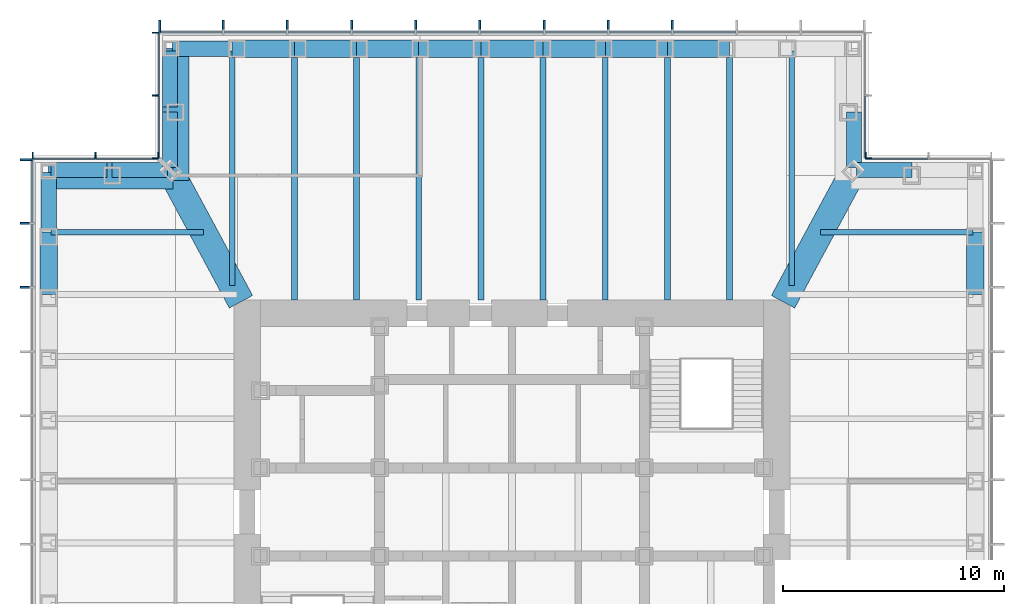
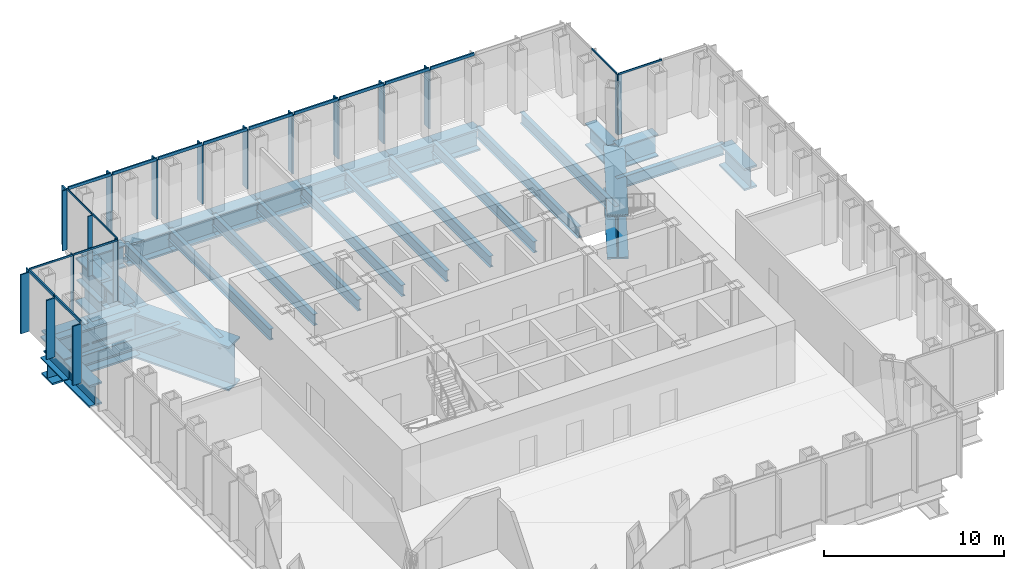
# One storey, part 5 of 14: 37 members, 34 beams, 6 elements without a shape of their own.
"""IFC4 building model written with IfcOpenShell, lengths in metres."""

from ifc_helpers import new_model, si_unit, direction, frame, origin, origin_2d, place, context, subcontext, project, spatial, rectangle, i_section, extrude, material, material_profile, profile_set, type_object, element, aggregate, save


model = new_model("IFC4")

# Units and contexts
model_context = context("Model", 3, precision=1e-05, world=origin(), true_north=direction((0.0, 1.0)))
body_context = subcontext(model_context, "Body", "Model", "MODEL_VIEW")
ifc_project = project(units=[si_unit("LENGTHUNIT", "METRE"), si_unit("AREAUNIT", "SQUARE_METRE"), si_unit("VOLUMEUNIT", "CUBIC_METRE"), si_unit("PLANEANGLEUNIT", "RADIAN"), si_unit("MASSUNIT", "GRAM", prefix="KILO")], contexts=[model_context])

# Site, building, storey
site_placement = place(None, origin())
site = spatial("IfcSite", under=ifc_project, at=site_placement, CompositionType="ELEMENT")
building_placement = place(site_placement, origin())
building = spatial("IfcBuilding", under=site, at=building_placement, Name="Daluyong Arena Tower", CompositionType="ELEMENT")
storey_placement = place(building_placement, frame((0.0, 0.0, 250.300048828125)))
storey = spatial("IfcBuildingStorey", under=building, at=storey_placement, Name="L56", CompositionType="ELEMENT", Elevation=250.300048828125)

# Curtain wall, members
ifc_material_1 = material(Name="Bronze anodised aluminium and glass", Category="aluminium")
curtain_wall_type_1 = type_object("IfcCurtainWallType", Name="Curtain wall CW4", PredefinedType="USERDEFINED", material=ifc_material_1)
curtain_wall_1_placement = place(storey_placement, origin())
curtain_wall_1 = element("IfcCurtainWall", 1, at=curtain_wall_1_placement, inside=storey, type_object=curtain_wall_type_1, Name="curtain wall L56 N", ObjectType="UNITISED CURTAIN WALL", PredefinedType="USERDEFINED")
ifc_material_2 = material(Name="Bronze anodised aluminium fin", Category="aluminium")
ifc_material_profile_1 = material_profile(ifc_material_2, rectangle(XDim=0.550048828125, YDim=0.090087890625, at=origin_2d()))
ifc_profile_set_1 = profile_set([ifc_material_profile_1], Name="Bronze anodised aluminium fin")
member_type_1 = type_object("IfcMemberType", Name="CW4 bronze fin 550x90", PredefinedType="MULLION", material=ifc_profile_set_1)
member_1_placement = place(storey_placement, frame((63.272705078125, 102.02490234375, 0.0), z_axis=(0.0, 0.0, 1.0), x_axis=(0.0, -1.0, 0.0)))
member_1 = element("IfcMember", 2, at=member_1_placement, type_object=member_type_1, Name="curtain wall L56 N fin 4", PredefinedType="MULLION", context=body_context, shape_type="SweptSolid", body=[
    extrude(rectangle(XDim=0.550048828125, YDim=0.090087890625, at=origin_2d()), origin(), (0.0, 0.0, 1.0), 4.0),
])
member_2_placement = place(storey_placement, frame((60.363525390625, 102.02490234375, 0.0), z_axis=(0.0, 0.0, 1.0), x_axis=(0.0, -1.0, 0.0)))
member_2 = element("IfcMember", 3, at=member_2_placement, type_object=member_type_1, Name="curtain wall L56 N fin 5", PredefinedType="MULLION", context=body_context, shape_type="SweptSolid", body=[
    extrude(rectangle(XDim=0.550048828125, YDim=0.090087890625, at=origin_2d()), origin(), (0.0, 0.0, 1.0), 4.0),
])
member_3_placement = place(storey_placement, frame((57.45458984375, 102.02490234375, 0.0), z_axis=(0.0, 0.0, 1.0), x_axis=(0.0, -1.0, 0.0)))
member_3 = element("IfcMember", 4, at=member_3_placement, type_object=member_type_1, Name="curtain wall L56 N fin 6", PredefinedType="MULLION", context=body_context, shape_type="SweptSolid", body=[
    extrude(rectangle(XDim=0.550048828125, YDim=0.090087890625, at=origin_2d()), origin(), (0.0, 0.0, 1.0), 4.0),
])
member_4_placement = place(storey_placement, frame((54.54541015625, 102.02490234375, 0.0), z_axis=(0.0, 0.0, 1.0), x_axis=(0.0, -1.0, 0.0)))
member_4 = element("IfcMember", 5, at=member_4_placement, type_object=member_type_1, Name="curtain wall L56 N fin 7", PredefinedType="MULLION", context=body_context, shape_type="SweptSolid", body=[
    extrude(rectangle(XDim=0.550048828125, YDim=0.090087890625, at=origin_2d()), origin(), (0.0, 0.0, 1.0), 4.0),
])
member_5_placement = place(storey_placement, frame((51.636474609375, 102.02490234375, 0.0), z_axis=(0.0, 0.0, 1.0), x_axis=(0.0, -1.0, 0.0)))
member_5 = element("IfcMember", 6, at=member_5_placement, type_object=member_type_1, Name="curtain wall L56 N fin 8", PredefinedType="MULLION", context=body_context, shape_type="SweptSolid", body=[
    extrude(rectangle(XDim=0.550048828125, YDim=0.090087890625, at=origin_2d()), origin(), (0.0, 0.0, 1.0), 4.0),
])
member_6_placement = place(storey_placement, frame((48.727294921875, 102.02490234375, 0.0), z_axis=(0.0, 0.0, 1.0), x_axis=(0.0, -1.0, 0.0)))
member_6 = element("IfcMember", 7, at=member_6_placement, type_object=member_type_1, Name="curtain wall L56 N fin 9", PredefinedType="MULLION", context=body_context, shape_type="SweptSolid", body=[
    extrude(rectangle(XDim=0.550048828125, YDim=0.090087890625, at=origin_2d()), origin(), (0.0, 0.0, 1.0), 4.0),
])
member_7_placement = place(storey_placement, frame((45.818115234375, 102.02490234375, 0.0), z_axis=(0.0, 0.0, 1.0), x_axis=(0.0, -1.0, 0.0)))
member_7 = element("IfcMember", 8, at=member_7_placement, type_object=member_type_1, Name="curtain wall L56 N fin 10", PredefinedType="MULLION", context=body_context, shape_type="SweptSolid", body=[
    extrude(rectangle(XDim=0.550048828125, YDim=0.090087890625, at=origin_2d()), origin(), (0.0, 0.0, 1.0), 4.0),
])
member_8_placement = place(storey_placement, frame((42.9091796875, 102.02490234375, 0.0), z_axis=(0.0, 0.0, 1.0), x_axis=(0.0, -1.0, 0.0)))
member_8 = element("IfcMember", 9, at=member_8_placement, type_object=member_type_1, Name="curtain wall L56 N fin 11", PredefinedType="MULLION", context=body_context, shape_type="SweptSolid", body=[
    extrude(rectangle(XDim=0.550048828125, YDim=0.090087890625, at=origin_2d()), origin(), (0.0, 0.0, 1.0), 4.0),
])
member_9_placement = place(storey_placement, frame((40.044921875, 102.02490234375, 0.0), z_axis=(0.0, 0.0, 1.0), x_axis=(0.0, -1.0, 0.0)))
member_9 = element("IfcMember", 10, at=member_9_placement, type_object=member_type_1, Name="curtain wall L56 N fin 12", PredefinedType="MULLION", context=body_context, shape_type="SweptSolid", body=[
    extrude(rectangle(XDim=0.550048828125, YDim=0.090087890625, at=origin_2d()), origin(), (0.0, 0.0, 1.0), 4.0),
])

curtain_wall_2_placement = place(storey_placement, origin())
curtain_wall_2 = element("IfcCurtainWall", 11, at=curtain_wall_2_placement, inside=storey, type_object=curtain_wall_type_1, Name="curtain wall L56 W", ObjectType="UNITISED CURTAIN WALL", PredefinedType="USERDEFINED")
member_10_placement = place(storey_placement, frame((33.97509765625, 95.955078125, 0.0), z_axis=(0.0, 0.0, 1.0), x_axis=(1.0, 0.0, 0.0)))
member_10 = element("IfcMember", 12, at=member_10_placement, type_object=member_type_1, Name="curtain wall L56 W fin 1", PredefinedType="MULLION", context=body_context, shape_type="SweptSolid", body=[
    extrude(rectangle(XDim=0.550048828125, YDim=0.090087890625, at=origin_2d()), origin(), (0.0, 0.0, 1.0), 4.0),
])
member_11_placement = place(storey_placement, frame((33.97509765625, 93.0908203125, 0.0), z_axis=(0.0, 0.0, 1.0), x_axis=(1.0, 0.0, 0.0)))
member_11 = element("IfcMember", 13, at=member_11_placement, type_object=member_type_1, Name="curtain wall L56 W fin 2", PredefinedType="MULLION", context=body_context, shape_type="SweptSolid", body=[
    extrude(rectangle(XDim=0.550048828125, YDim=0.090087890625, at=origin_2d()), origin(), (0.0, 0.0, 1.0), 4.0),
])
member_12_placement = place(storey_placement, frame((33.97509765625, 90.181884765625, 0.0), z_axis=(0.0, 0.0, 1.0), x_axis=(1.0, 0.0, 0.0)))
member_12 = element("IfcMember", 14, at=member_12_placement, type_object=member_type_1, Name="curtain wall L56 W fin 3", PredefinedType="MULLION", context=body_context, shape_type="SweptSolid", body=[
    extrude(rectangle(XDim=0.550048828125, YDim=0.090087890625, at=origin_2d()), origin(), (0.0, 0.0, 1.0), 4.0),
])

# Member
ifc_material_3 = material(Name="Bronze anodised aluminium", Category="aluminium")
ifc_material_profile_2 = material_profile(ifc_material_3, rectangle(XDim=0.090087890625, YDim=0.199951171875, at=origin_2d()))
ifc_profile_set_2 = profile_set([ifc_material_profile_2], Name="Bronze anodised aluminium")
member_type_2 = type_object("IfcMemberType", Name="CW4 stack transom 200x90", PredefinedType="USERDEFINED", material=ifc_profile_set_2)
member_13_placement = place(storey_placement, frame((66.13671875, 101.75, 4.099853515625), z_axis=(-1.0, 0.0, 0.0), x_axis=(0.0, -1.0, 0.0)))
member_13 = element("IfcMember", 15, at=member_13_placement, type_object=member_type_2, Name="curtain wall L56 N transom 3", ObjectType="TRANSOM", PredefinedType="USERDEFINED", context=body_context, shape_type="SweptSolid", body=[
    extrude(rectangle(XDim=0.090087890625, YDim=0.199951171875, at=origin_2d()), origin(), (0.0, 0.0, 1.0), 2.819091796875),
])

member_14_placement = place(storey_placement, frame((63.227783203125, 101.75, 4.099853515625), z_axis=(-1.0, 0.0, 0.0), x_axis=(0.0, -1.0, 0.0)))
member_14 = element("IfcMember", 16, at=member_14_placement, type_object=member_type_2, Name="curtain wall L56 N transom 4", ObjectType="TRANSOM", PredefinedType="USERDEFINED", context=body_context, shape_type="SweptSolid", body=[
    extrude(rectangle(XDim=0.090087890625, YDim=0.199951171875, at=origin_2d()), origin(), (0.0, 0.0, 1.0), 2.819091796875),
])

member_15_placement = place(storey_placement, frame((60.318603515625, 101.75, 4.099853515625), z_axis=(-1.0, 0.0, 0.0), x_axis=(0.0, -1.0, 0.0)))
member_15 = element("IfcMember", 17, at=member_15_placement, type_object=member_type_2, Name="curtain wall L56 N transom 5", ObjectType="TRANSOM", PredefinedType="USERDEFINED", context=body_context, shape_type="SweptSolid", body=[
    extrude(rectangle(XDim=0.090087890625, YDim=0.199951171875, at=origin_2d()), origin(), (0.0, 0.0, 1.0), 2.819091796875),
])

member_16_placement = place(storey_placement, frame((57.409423828125, 101.75, 4.099853515625), z_axis=(-1.0, 0.0, 0.0), x_axis=(0.0, -1.0, 0.0)))
member_16 = element("IfcMember", 18, at=member_16_placement, type_object=member_type_2, Name="curtain wall L56 N transom 6", ObjectType="TRANSOM", PredefinedType="USERDEFINED", context=body_context, shape_type="SweptSolid", body=[
    extrude(rectangle(XDim=0.090087890625, YDim=0.199951171875, at=origin_2d()), origin(), (0.0, 0.0, 1.0), 2.81884765625),
])

member_17_placement = place(storey_placement, frame((54.50048828125, 101.75, 4.099853515625), z_axis=(-1.0, 0.0, 0.0), x_axis=(0.0, -1.0, 0.0)))
member_17 = element("IfcMember", 19, at=member_17_placement, type_object=member_type_2, Name="curtain wall L56 N transom 7", ObjectType="TRANSOM", PredefinedType="USERDEFINED", context=body_context, shape_type="SweptSolid", body=[
    extrude(rectangle(XDim=0.090087890625, YDim=0.199951171875, at=origin_2d()), origin(), (0.0, 0.0, 1.0), 2.819091796875),
])

member_18_placement = place(storey_placement, frame((51.59130859375, 101.75, 4.099853515625), z_axis=(-1.0, 0.0, 0.0), x_axis=(0.0, -1.0, 0.0)))
member_18 = element("IfcMember", 20, at=member_18_placement, type_object=member_type_2, Name="curtain wall L56 N transom 8", ObjectType="TRANSOM", PredefinedType="USERDEFINED", context=body_context, shape_type="SweptSolid", body=[
    extrude(rectangle(XDim=0.090087890625, YDim=0.199951171875, at=origin_2d()), origin(), (0.0, 0.0, 1.0), 2.819091796875),
])

member_19_placement = place(storey_placement, frame((48.682373046875, 101.75, 4.099853515625), z_axis=(-1.0, 0.0, 0.0), x_axis=(0.0, -1.0, 0.0)))
member_19 = element("IfcMember", 21, at=member_19_placement, type_object=member_type_2, Name="curtain wall L56 N transom 9", ObjectType="TRANSOM", PredefinedType="USERDEFINED", context=body_context, shape_type="SweptSolid", body=[
    extrude(rectangle(XDim=0.090087890625, YDim=0.199951171875, at=origin_2d()), origin(), (0.0, 0.0, 1.0), 2.819091796875),
])

member_20_placement = place(storey_placement, frame((45.773193359375, 101.75, 4.099853515625), z_axis=(-1.0, 0.0, 0.0), x_axis=(0.0, -1.0, 0.0)))
member_20 = element("IfcMember", 22, at=member_20_placement, type_object=member_type_2, Name="curtain wall L56 N transom 10", ObjectType="TRANSOM", PredefinedType="USERDEFINED", context=body_context, shape_type="SweptSolid", body=[
    extrude(rectangle(XDim=0.090087890625, YDim=0.199951171875, at=origin_2d()), origin(), (0.0, 0.0, 1.0), 2.819091796875),
])

member_21_placement = place(storey_placement, frame((42.864013671875, 101.75, 4.099853515625), z_axis=(-1.0, 0.0, 0.0), x_axis=(0.0, -1.0, 0.0)))
member_21 = element("IfcMember", 23, at=member_21_placement, type_object=member_type_2, Name="curtain wall L56 N transom 11", ObjectType="TRANSOM", PredefinedType="USERDEFINED", context=body_context, shape_type="SweptSolid", body=[
    extrude(rectangle(XDim=0.090087890625, YDim=0.199951171875, at=origin_2d()), origin(), (0.0, 0.0, 1.0), 2.77392578125),
])

aggregate(curtain_wall_1, [member_1, member_2, member_3, member_4, member_5, member_6, member_7, member_8, member_9, member_13, member_14, member_15, member_16, member_17, member_18, member_19, member_20, member_21])

member_22_placement = place(storey_placement, frame((34.25, 95.909912109375, 4.099853515625), z_axis=(0.0, -1.0, 0.0), x_axis=(1.0, 0.0, 0.0)))
member_22 = element("IfcMember", 24, at=member_22_placement, type_object=member_type_2, Name="curtain wall L56 W transom 1", ObjectType="TRANSOM", PredefinedType="USERDEFINED", context=body_context, shape_type="SweptSolid", body=[
    extrude(rectangle(XDim=0.090087890625, YDim=0.199951171875, at=origin_2d()), origin(), (0.0, 0.0, 1.0), 2.77392578125),
])

member_23_placement = place(storey_placement, frame((34.25, 93.0458984375, 4.099853515625), z_axis=(0.0, -1.0, 0.0), x_axis=(1.0, 0.0, 0.0)))
member_23 = element("IfcMember", 25, at=member_23_placement, type_object=member_type_2, Name="curtain wall L56 W transom 2", ObjectType="TRANSOM", PredefinedType="USERDEFINED", context=body_context, shape_type="SweptSolid", body=[
    extrude(rectangle(XDim=0.090087890625, YDim=0.199951171875, at=origin_2d()), origin(), (0.0, 0.0, 1.0), 2.819091796875),
])

aggregate(curtain_wall_2, [member_10, member_11, member_12, member_22, member_23])

# Curtain wall, member
ifc_material_4 = material(Name="Bronze anodised aluminium and glass", Category="aluminium")
curtain_wall_type_2 = type_object("IfcCurtainWallType", Name="Curtain wall CW7", PredefinedType="USERDEFINED", material=ifc_material_4)
curtain_wall_3_placement = place(storey_placement, origin())
curtain_wall_3 = element("IfcCurtainWall", 26, at=curtain_wall_3_placement, inside=storey, type_object=curtain_wall_type_2, Name="curtain wall L56 NE-N", ObjectType="UNITISED CURTAIN WALL", PredefinedType="USERDEFINED")
ifc_material_5 = material(Name="Bronze anodised aluminium fin", Category="aluminium")
ifc_material_profile_3 = material_profile(ifc_material_5, rectangle(XDim=0.300048828125, YDim=0.06005859375, at=origin_2d()))
ifc_profile_set_3 = profile_set([ifc_material_profile_3], Name="Bronze anodised aluminium fin")
member_type_3 = type_object("IfcMemberType", Name="CW7 bronze fin 300x60", PredefinedType="MULLION", material=ifc_profile_set_3)
member_24_placement = place(storey_placement, frame((72.030029296875, 96.14990234375, 0.0), z_axis=(0.0, 0.0, 1.0), x_axis=(0.0, -1.0, 0.0)))
member_24 = element("IfcMember", 27, at=member_24_placement, type_object=member_type_3, Name="curtain wall L56 NE-N fin 3", PredefinedType="MULLION", context=body_context, shape_type="SweptSolid", body=[
    extrude(rectangle(XDim=0.300048828125, YDim=0.06005859375, at=origin_2d()), origin(), (0.0, 0.0, 1.0), 4.079833984375),
])

curtain_wall_4_placement = place(storey_placement, origin())
curtain_wall_4 = element("IfcCurtainWall", 28, at=curtain_wall_4_placement, inside=storey, type_object=curtain_wall_type_2, Name="curtain wall L56 NE-E", ObjectType="UNITISED CURTAIN WALL", PredefinedType="USERDEFINED")
member_25_placement = place(storey_placement, frame((72.14990234375, 96.030029296875, 0.0), z_axis=(0.0, 0.0, 1.0), x_axis=(-1.0, 0.0, 0.0)))
member_25 = element("IfcMember", 29, at=member_25_placement, type_object=member_type_3, Name="curtain wall L56 NE-E fin 1", PredefinedType="MULLION", context=body_context, shape_type="SweptSolid", body=[
    extrude(rectangle(XDim=0.300048828125, YDim=0.06005859375, at=origin_2d()), origin(), (0.0, 0.0, 1.0), 4.079833984375),
])

# Curtain wall, members
curtain_wall_5_placement = place(storey_placement, origin())
curtain_wall_5 = element("IfcCurtainWall", 30, at=curtain_wall_5_placement, inside=storey, type_object=curtain_wall_type_2, Name="curtain wall L56 NW-W", ObjectType="UNITISED CURTAIN WALL", PredefinedType="USERDEFINED")
member_26_placement = place(storey_placement, frame((39.85009765625, 101.719970703125, 0.0), z_axis=(0.0, 0.0, 1.0), x_axis=(1.0, 0.0, 0.0)))
member_26 = element("IfcMember", 31, at=member_26_placement, type_object=member_type_3, Name="curtain wall L56 NW-W fin 1", PredefinedType="MULLION", context=body_context, shape_type="SweptSolid", body=[
    extrude(rectangle(XDim=0.300048828125, YDim=0.06005859375, at=origin_2d()), origin(), (0.0, 0.0, 1.0), 4.079833984375),
])
member_27_placement = place(storey_placement, frame((39.85009765625, 98.875, 0.0), z_axis=(0.0, 0.0, 1.0), x_axis=(1.0, 0.0, 0.0)))
member_27 = element("IfcMember", 32, at=member_27_placement, type_object=member_type_3, Name="curtain wall L56 NW-W fin 2", PredefinedType="MULLION", context=body_context, shape_type="SweptSolid", body=[
    extrude(rectangle(XDim=0.300048828125, YDim=0.06005859375, at=origin_2d()), origin(), (0.0, 0.0, 1.0), 4.079833984375),
])
member_28_placement = place(storey_placement, frame((39.85009765625, 96.030029296875, 0.0), z_axis=(0.0, 0.0, 1.0), x_axis=(1.0, 0.0, 0.0)))
member_28 = element("IfcMember", 33, at=member_28_placement, type_object=member_type_3, Name="curtain wall L56 NW-W fin 3", PredefinedType="MULLION", context=body_context, shape_type="SweptSolid", body=[
    extrude(rectangle(XDim=0.300048828125, YDim=0.06005859375, at=origin_2d()), origin(), (0.0, 0.0, 1.0), 4.079833984375),
])

curtain_wall_6_placement = place(storey_placement, origin())
curtain_wall_6 = element("IfcCurtainWall", 34, at=curtain_wall_6_placement, inside=storey, type_object=curtain_wall_type_2, Name="curtain wall L56 NW-N", ObjectType="UNITISED CURTAIN WALL", PredefinedType="USERDEFINED")
member_29_placement = place(storey_placement, frame((39.969970703125, 96.14990234375, 0.0), z_axis=(0.0, 0.0, 1.0), x_axis=(0.0, -1.0, 0.0)))
member_29 = element("IfcMember", 35, at=member_29_placement, type_object=member_type_3, Name="curtain wall L56 NW-N fin 1", PredefinedType="MULLION", context=body_context, shape_type="SweptSolid", body=[
    extrude(rectangle(XDim=0.300048828125, YDim=0.06005859375, at=origin_2d()), origin(), (0.0, 0.0, 1.0), 4.079833984375),
])
member_30_placement = place(storey_placement, frame((37.125, 96.14990234375, 0.0), z_axis=(0.0, 0.0, 1.0), x_axis=(0.0, -1.0, 0.0)))
member_30 = element("IfcMember", 36, at=member_30_placement, type_object=member_type_3, Name="curtain wall L56 NW-N fin 2", PredefinedType="MULLION", context=body_context, shape_type="SweptSolid", body=[
    extrude(rectangle(XDim=0.300048828125, YDim=0.06005859375, at=origin_2d()), origin(), (0.0, 0.0, 1.0), 4.079833984375),
])
member_31_placement = place(storey_placement, frame((34.280029296875, 96.14990234375, 0.0), z_axis=(0.0, 0.0, 1.0), x_axis=(0.0, -1.0, 0.0)))
member_31 = element("IfcMember", 37, at=member_31_placement, type_object=member_type_3, Name="curtain wall L56 NW-N fin 3", PredefinedType="MULLION", context=body_context, shape_type="SweptSolid", body=[
    extrude(rectangle(XDim=0.300048828125, YDim=0.06005859375, at=origin_2d()), origin(), (0.0, 0.0, 1.0), 4.079833984375),
])

# Member
ifc_material_6 = material(Name="Bronze anodised aluminium", Category="aluminium")
ifc_material_profile_4 = material_profile(ifc_material_6, rectangle(XDim=0.06005859375, YDim=0.1201171875, at=origin_2d()))
ifc_profile_set_4 = profile_set([ifc_material_profile_4], Name="Bronze anodised aluminium")
member_type_4 = type_object("IfcMemberType", Name="CW7 stack transom 120x60", PredefinedType="USERDEFINED", material=ifc_profile_set_4)
member_32_placement = place(storey_placement, frame((74.844970703125, 96.0, 4.139892578125), z_axis=(-1.0, 0.0, 0.0), x_axis=(0.0, -1.0, 0.0)))
member_32 = element("IfcMember", 38, at=member_32_placement, type_object=member_type_4, Name="curtain wall L56 NE-N transom 2", ObjectType="TRANSOM", PredefinedType="USERDEFINED", context=body_context, shape_type="SweptSolid", body=[
    extrude(rectangle(XDim=0.06005859375, YDim=0.1201171875, at=origin_2d()), origin(), (0.0, 0.0, 1.0), 2.784912109375),
])

aggregate(curtain_wall_3, [member_24, member_32])

member_33_placement = place(storey_placement, frame((72.0, 96.06005859375, 4.139892578125), z_axis=(0.0, 1.0, 0.0), x_axis=(-1.0, 0.0, 0.0)))
member_33 = element("IfcMember", 39, at=member_33_placement, type_object=member_type_4, Name="curtain wall L56 NE-E transom 1", ObjectType="TRANSOM", PredefinedType="USERDEFINED", context=body_context, shape_type="SweptSolid", body=[
    extrude(rectangle(XDim=0.06005859375, YDim=0.1201171875, at=origin_2d()), origin(), (0.0, 0.0, 1.0), 2.784912109375),
])

aggregate(curtain_wall_4, [member_25, member_33])

member_34_placement = place(storey_placement, frame((40.0, 101.68994140625, 4.139892578125), z_axis=(0.0, -1.0, 0.0), x_axis=(1.0, 0.0, 0.0)))
member_34 = element("IfcMember", 40, at=member_34_placement, type_object=member_type_4, Name="curtain wall L56 NW-W transom 1", ObjectType="TRANSOM", PredefinedType="USERDEFINED", context=body_context, shape_type="SweptSolid", body=[
    extrude(rectangle(XDim=0.06005859375, YDim=0.1201171875, at=origin_2d()), origin(), (0.0, 0.0, 1.0), 2.784912109375),
])

member_35_placement = place(storey_placement, frame((40.0, 98.844970703125, 4.139892578125), z_axis=(0.0, -1.0, 0.0), x_axis=(1.0, 0.0, 0.0)))
member_35 = element("IfcMember", 41, at=member_35_placement, type_object=member_type_4, Name="curtain wall L56 NW-W transom 2", ObjectType="TRANSOM", PredefinedType="USERDEFINED", context=body_context, shape_type="SweptSolid", body=[
    extrude(rectangle(XDim=0.06005859375, YDim=0.1201171875, at=origin_2d()), origin(), (0.0, 0.0, 1.0), 2.784912109375),
])

aggregate(curtain_wall_5, [member_26, member_27, member_28, member_34, member_35])

member_36_placement = place(storey_placement, frame((39.93994140625, 96.0, 4.139892578125), z_axis=(-1.0, 0.0, 0.0), x_axis=(0.0, -1.0, 0.0)))
member_36 = element("IfcMember", 42, at=member_36_placement, type_object=member_type_4, Name="curtain wall L56 NW-N transom 1", ObjectType="TRANSOM", PredefinedType="USERDEFINED", context=body_context, shape_type="SweptSolid", body=[
    extrude(rectangle(XDim=0.06005859375, YDim=0.1201171875, at=origin_2d()), origin(), (0.0, 0.0, 1.0), 2.784912109375),
])

member_37_placement = place(storey_placement, frame((37.094970703125, 96.0, 4.139892578125), z_axis=(-1.0, 0.0, 0.0), x_axis=(0.0, -1.0, 0.0)))
member_37 = element("IfcMember", 43, at=member_37_placement, type_object=member_type_4, Name="curtain wall L56 NW-N transom 2", ObjectType="TRANSOM", PredefinedType="USERDEFINED", context=body_context, shape_type="SweptSolid", body=[
    extrude(rectangle(XDim=0.06005859375, YDim=0.1201171875, at=origin_2d()), origin(), (0.0, 0.0, 1.0), 2.784912109375),
])

aggregate(curtain_wall_6, [member_29, member_30, member_31, member_36, member_37])

# Beams
ifc_material_7 = material(Name="Steel ASTM A992 Grade 50", Category="steel")
ifc_material_profile_5 = material_profile(ifc_material_7, i_section(OverallWidth=0.2666015625, OverallDepth=0.761962890625, WebThickness=0.014404296875, FlangeThickness=0.021484375, at=origin_2d()))
ifc_profile_set_5 = profile_set([ifc_material_profile_5], Name="Steel ASTM A992 Grade 50")
beam_type_1 = type_object("IfcBeamType", Name="Floor beam W30X116", PredefinedType="BEAM", material=ifc_profile_set_5)
beam_1_placement = place(storey_placement, frame((76.885009765625, 92.681884765625, -0.541015625), z_axis=(-1.0, 0.0, 0.0), x_axis=(0.0, -1.0, 0.0)))
element("IfcBeam", 44, at=beam_1_placement, inside=storey, type_object=beam_type_1, Name="floor beam FB4", PredefinedType="BEAM", context=body_context, shape_type="SweptSolid", body=[
    extrude(i_section(OverallWidth=0.2666015625, OverallDepth=0.761962890625, WebThickness=0.014404296875, FlangeThickness=0.021484375, at=origin_2d()), origin(), (0.0, 0.0, 1.0), 6.902587890625),
])
beam_2_placement = place(storey_placement, frame((68.681884765625, 100.885009765625, -0.541015625), z_axis=(0.0, -1.0, 0.0), x_axis=(1.0, 0.0, 0.0)))
element("IfcBeam", 45, at=beam_2_placement, inside=storey, type_object=beam_type_1, Name="floor beam FB4", PredefinedType="BEAM", context=body_context, shape_type="SweptSolid", body=[
    extrude(i_section(OverallWidth=0.2666015625, OverallDepth=0.761962890625, WebThickness=0.014404296875, FlangeThickness=0.021484375, at=origin_2d()), origin(), (0.0, 0.0, 1.0), 10.618896484375),
])
for number, where, z_axis, x_axis, name in (
    (46, (65.863525390625, 100.885009765625, -0.541015625), (0.0, -1.0, 0.0), (1.0, 0.0, 0.0), "floor beam FB4"),
    (47, (63.04541015625, 100.885009765625, -0.541015625), (0.0, -1.0, 0.0), (1.0, 0.0, 0.0), "floor beam FB4"),
    (48, (60.227294921875, 100.885009765625, -0.541015625), (0.0, -1.0, 0.0), (1.0, 0.0, 0.0), "floor beam FB4"),
    (49, (57.4091796875, 100.885009765625, -0.541015625), (0.0, -1.0, 0.0), (1.0, 0.0, 0.0), "floor beam FB4"),
    (50, (54.5908203125, 100.885009765625, -0.541015625), (0.0, -1.0, 0.0), (1.0, 0.0, 0.0), "floor beam FB4"),
    (51, (51.772705078125, 100.885009765625, -0.541015625), (0.0, -1.0, 0.0), (1.0, 0.0, 0.0), "floor beam FB4"),
    (52, (48.95458984375, 100.885009765625, -0.541015625), (0.0, -1.0, 0.0), (1.0, 0.0, 0.0), "floor beam FB4"),
    (53, (46.136474609375, 100.885009765625, -0.541015625), (0.0, -1.0, 0.0), (1.0, 0.0, 0.0), "floor beam FB4"),
):
    element("IfcBeam", number, at=place(storey_placement, frame(where, z_axis=z_axis, x_axis=x_axis)), inside=storey, type_object=beam_type_1, Name=name, PredefinedType="BEAM", context=body_context, shape_type="SweptSolid", body=[
        extrude(i_section(OverallWidth=0.2666015625, OverallDepth=0.761962890625, WebThickness=0.014404296875, FlangeThickness=0.021484375, at=origin_2d()), origin(), (0.0, 0.0, 1.0), 11.284912109375),
    ])
beam_3_placement = place(storey_placement, frame((43.318115234375, 100.885009765625, -0.541015625), z_axis=(0.0, -1.0, 0.0), x_axis=(1.0, 0.0, 0.0)))
element("IfcBeam", 54, at=beam_3_placement, inside=storey, type_object=beam_type_1, Name="floor beam FB4", PredefinedType="BEAM", context=body_context, shape_type="SweptSolid", body=[
    extrude(i_section(OverallWidth=0.2666015625, OverallDepth=0.761962890625, WebThickness=0.014404296875, FlangeThickness=0.021484375, at=origin_2d()), origin(), (0.0, 0.0, 1.0), 10.618896484375),
])
beam_4_placement = place(storey_placement, frame((35.114990234375, 92.681884765625, -0.541015625), z_axis=(1.0, 0.0, 0.0), x_axis=(0.0, 1.0, 0.0)))
element("IfcBeam", 55, at=beam_4_placement, inside=storey, type_object=beam_type_1, Name="floor beam FB4", PredefinedType="BEAM", context=body_context, shape_type="SweptSolid", body=[
    extrude(i_section(OverallWidth=0.2666015625, OverallDepth=0.761962890625, WebThickness=0.014404296875, FlangeThickness=0.021484375, at=origin_2d()), origin(), (0.0, 0.0, 1.0), 6.902587890625),
])
ifc_material_8 = material(Name="Steel ASTM A572 Grade 50", Category="steel")
ifc_material_profile_6 = material_profile(ifc_material_8, i_section(OverallWidth=0.699951171875, OverallDepth=1.5, WebThickness=0.04, FlangeThickness=0.08, at=origin_2d()))
ifc_profile_set_6 = profile_set([ifc_material_profile_6], Name="Steel ASTM A572 Grade 50")
beam_type_2 = type_object("IfcBeamType", Name="Spandrel Z3 PG1500X700", PredefinedType="SPANDREL", material=ifc_profile_set_6)
for number, where, z_axis, x_axis, name in (
    (56, (74.135009765625, 95.5, -0.91015625), (-1.0, 0.0, 0.0), (0.0, -1.0, 0.0), "spandrel z3 SB8"),
    (57, (71.5, 95.614990234375, -0.91015625), (0.0, 1.0, 0.0), (-1.0, 0.0, 0.0), "spandrel z3 SB8"),
):
    element("IfcBeam", number, at=place(storey_placement, frame(where, z_axis=z_axis, x_axis=x_axis)), inside=storey, type_object=beam_type_2, Name=name, PredefinedType="SPANDREL", context=body_context, shape_type="SweptSolid", body=[
        extrude(i_section(OverallWidth=0.699951171875, OverallDepth=1.5, WebThickness=0.04, FlangeThickness=0.08, at=origin_2d()), origin(), (0.0, 0.0, 1.0), 2.52001953125),
    ])
beam_5_placement = place(storey_placement, frame((43.203125, 101.0, -0.91015625), z_axis=(-1.0, 0.0, 0.0), x_axis=(0.0, -1.0, 0.0)))
element("IfcBeam", 58, at=beam_5_placement, inside=storey, type_object=beam_type_2, Name="spandrel z3 SB8", PredefinedType="SPANDREL", context=body_context, shape_type="SweptSolid", body=[
    extrude(i_section(OverallWidth=0.699951171875, OverallDepth=1.5, WebThickness=0.04, FlangeThickness=0.08, at=origin_2d()), origin(), (0.0, 0.0, 1.0), 2.588134765625),
])
for number, where, z_axis, x_axis, name in (
    (59, (40.5, 100.885009765625, -0.91015625), (0.0, -1.0, 0.0), (1.0, 0.0, 0.0), "spandrel z3 SB8"),
    (60, (40.5, 98.135009765625, -0.91015625), (0.0, -1.0, 0.0), (1.0, 0.0, 0.0), "spandrel z3 SB8"),
    (61, (40.385009765625, 95.5, -0.91015625), (-1.0, 0.0, 0.0), (0.0, -1.0, 0.0), "spandrel z3 SB8"),
    (62, (37.635009765625, 95.5, -0.91015625), (-1.0, 0.0, 0.0), (0.0, -1.0, 0.0), "spandrel z3 SB8"),
):
    element("IfcBeam", number, at=place(storey_placement, frame(where, z_axis=z_axis, x_axis=x_axis)), inside=storey, type_object=beam_type_2, Name=name, PredefinedType="SPANDREL", context=body_context, shape_type="SweptSolid", body=[
        extrude(i_section(OverallWidth=0.699951171875, OverallDepth=1.5, WebThickness=0.04, FlangeThickness=0.08, at=origin_2d()), origin(), (0.0, 0.0, 1.0), 2.52001953125),
    ])
beam_6_placement = place(storey_placement, frame((35.0, 95.385009765625, -0.91015625), z_axis=(0.0, -1.0, 0.0), x_axis=(1.0, 0.0, 0.0)))
element("IfcBeam", 63, at=beam_6_placement, inside=storey, type_object=beam_type_2, Name="spandrel z3 SB8", PredefinedType="SPANDREL", context=body_context, shape_type="SweptSolid", body=[
    extrude(i_section(OverallWidth=0.699951171875, OverallDepth=1.5, WebThickness=0.04, FlangeThickness=0.08, at=origin_2d()), origin(), (0.0, 0.0, 1.0), 2.588134765625),
])
ifc_material_9 = material(Name="Steel ASTM A588 Grade 50", Category="steel")
ifc_material_profile_7 = material_profile(ifc_material_9, i_section(OverallWidth=1.199951171875, OverallDepth=3.0, WebThickness=0.06, FlangeThickness=0.12, at=origin_2d()))
ifc_profile_set_7 = profile_set([ifc_material_profile_7], Name="Steel ASTM A588 Grade 50")
beam_type_3 = type_object("IfcBeamType", Name="Transfer beam PG3000X1200", PredefinedType="BEAM", material=ifc_profile_set_7)
for number, where, z_axis, x_axis, name in (
    (64, (71.5, 95.5, -1.66015625), (-0.474106262714, -0.880467632372, 0.0), (0.880467632372, -0.474106262714, 0.0), "transfer beam TR5"),
    (65, (40.5, 95.5, -1.66015625), (0.474106262714, -0.880467632372, 0.0), (0.880467632372, 0.474106262714, 0.0), "transfer beam TR5"),
):
    element("IfcBeam", number, at=place(storey_placement, frame(where, z_axis=z_axis, x_axis=x_axis)), inside=storey, type_object=beam_type_3, Name=name, PredefinedType="BEAM", context=body_context, shape_type="SweptSolid", body=[
        extrude(i_section(OverallWidth=1.199951171875, OverallDepth=3.0, WebThickness=0.06, FlangeThickness=0.12, at=origin_2d()), origin(), (0.0, 0.0, 1.0), 6.782470703125),
    ])
beam_7_placement = place(storey_placement, frame((35.0, 95.25, -1.66015625), z_axis=(1.0, 0.0, 0.0), x_axis=(0.0, 1.0, 0.0)))
element("IfcBeam", 66, at=beam_7_placement, inside=storey, type_object=beam_type_3, Name="transfer beam TR5", PredefinedType="BEAM", context=body_context, shape_type="SweptSolid", body=[
    extrude(i_section(OverallWidth=1.199951171875, OverallDepth=3.0, WebThickness=0.06, FlangeThickness=0.12, at=origin_2d()), origin(), (0.0, 0.0, 1.0), 5.634521484375),
])
beam_8_placement = place(storey_placement, frame((40.75, 95.03564453125, -1.66015625), z_axis=(0.0, 1.0, 0.0), x_axis=(-1.0, 0.0, 0.0)))
element("IfcBeam", 67, at=beam_8_placement, inside=storey, type_object=beam_type_3, Name="transfer beam TR5", PredefinedType="BEAM", context=body_context, shape_type="SweptSolid", body=[
    extrude(i_section(OverallWidth=1.199951171875, OverallDepth=3.0, WebThickness=0.06, FlangeThickness=0.12, at=origin_2d()), origin(), (0.0, 0.0, 1.0), 5.96435546875),
])
ifc_material_10 = material(Name="Steel ASTM A588 Grade 50", Category="steel")
ifc_material_profile_8 = material_profile(ifc_material_10, i_section(OverallWidth=0.800048828125, OverallDepth=1.5, WebThickness=0.05, FlangeThickness=0.12, at=origin_2d()))
ifc_profile_set_8 = profile_set([ifc_material_profile_8], Name="Steel ASTM A588 Grade 50")
beam_type_4 = type_object("IfcBeamType", Name="Transfer spandrel PG1500X800", PredefinedType="SPANDREL", material=ifc_profile_set_8)
beam_9_placement = place(storey_placement, frame((77.0, 89.863525390625, -0.91015625), z_axis=(0.0, 1.0, 0.0), x_axis=(-1.0, 0.0, 0.0)))
element("IfcBeam", 68, at=beam_9_placement, inside=storey, type_object=beam_type_4, Name="transfer spandrel TS1", PredefinedType="SPANDREL", context=body_context, shape_type="SweptSolid", body=[
    extrude(i_section(OverallWidth=0.800048828125, OverallDepth=1.5, WebThickness=0.05, FlangeThickness=0.12, at=origin_2d()), origin(), (0.0, 0.0, 1.0), 2.818359375),
])
for number, where, z_axis, x_axis, name in (
    (69, (65.863525390625, 101.0, -0.91015625), (-1.0, 0.0, 0.0), (0.0, -1.0, 0.0), "transfer spandrel TS1"),
    (70, (63.04541015625, 101.0, -0.91015625), (-1.0, 0.0, 0.0), (0.0, -1.0, 0.0), "transfer spandrel TS1"),
    (71, (60.227294921875, 101.0, -0.91015625), (-1.0, 0.0, 0.0), (0.0, -1.0, 0.0), "transfer spandrel TS1"),
):
    element("IfcBeam", number, at=place(storey_placement, frame(where, z_axis=z_axis, x_axis=x_axis)), inside=storey, type_object=beam_type_4, Name=name, PredefinedType="SPANDREL", context=body_context, shape_type="SweptSolid", body=[
        extrude(i_section(OverallWidth=0.800048828125, OverallDepth=1.5, WebThickness=0.05, FlangeThickness=0.12, at=origin_2d()), origin(), (0.0, 0.0, 1.0), 2.818115234375),
    ])
beam_10_placement = place(storey_placement, frame((57.4091796875, 101.0, -0.91015625), z_axis=(-1.0, 0.0, 0.0), x_axis=(0.0, -1.0, 0.0)))
element("IfcBeam", 72, at=beam_10_placement, inside=storey, type_object=beam_type_4, Name="transfer spandrel TS1", PredefinedType="SPANDREL", context=body_context, shape_type="SweptSolid", body=[
    extrude(i_section(OverallWidth=0.800048828125, OverallDepth=1.5, WebThickness=0.05, FlangeThickness=0.12, at=origin_2d()), origin(), (0.0, 0.0, 1.0), 2.818359375),
])
for number, where, z_axis, x_axis, name in (
    (73, (54.5908203125, 101.0, -0.91015625), (-1.0, 0.0, 0.0), (0.0, -1.0, 0.0), "transfer spandrel TS1"),
    (74, (51.772705078125, 101.0, -0.91015625), (-1.0, 0.0, 0.0), (0.0, -1.0, 0.0), "transfer spandrel TS1"),
    (75, (48.95458984375, 101.0, -0.91015625), (-1.0, 0.0, 0.0), (0.0, -1.0, 0.0), "transfer spandrel TS1"),
):
    element("IfcBeam", number, at=place(storey_placement, frame(where, z_axis=z_axis, x_axis=x_axis)), inside=storey, type_object=beam_type_4, Name=name, PredefinedType="SPANDREL", context=body_context, shape_type="SweptSolid", body=[
        extrude(i_section(OverallWidth=0.800048828125, OverallDepth=1.5, WebThickness=0.05, FlangeThickness=0.12, at=origin_2d()), origin(), (0.0, 0.0, 1.0), 2.818115234375),
    ])
for number, where, z_axis, x_axis, name in (
    (76, (46.136474609375, 101.0, -0.91015625), (-1.0, 0.0, 0.0), (0.0, -1.0, 0.0), "transfer spandrel TS1"),
    (77, (35.0, 92.681884765625, -0.91015625), (0.0, -1.0, 0.0), (1.0, 0.0, 0.0), "transfer spandrel TS1"),
):
    element("IfcBeam", number, at=place(storey_placement, frame(where, z_axis=z_axis, x_axis=x_axis)), inside=storey, type_object=beam_type_4, Name=name, PredefinedType="SPANDREL", context=body_context, shape_type="SweptSolid", body=[
        extrude(i_section(OverallWidth=0.800048828125, OverallDepth=1.5, WebThickness=0.05, FlangeThickness=0.12, at=origin_2d()), origin(), (0.0, 0.0, 1.0), 2.818359375),
    ])

save(model, "model.ifc")
